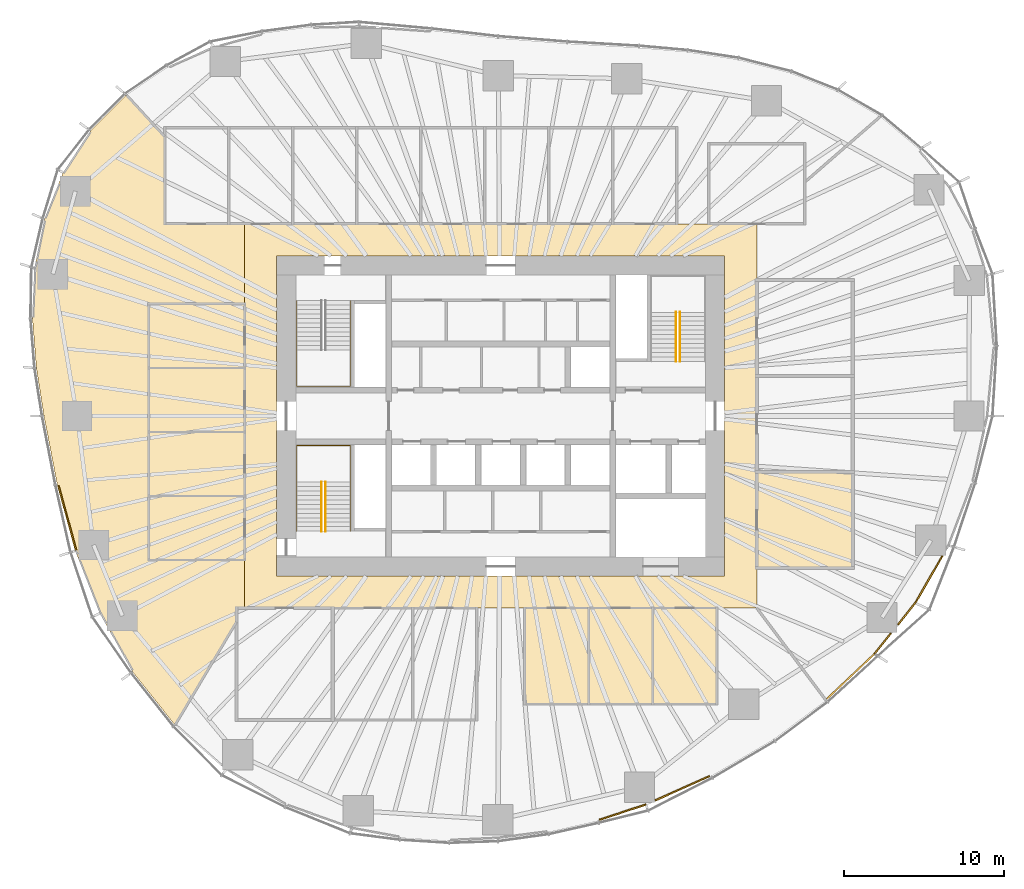
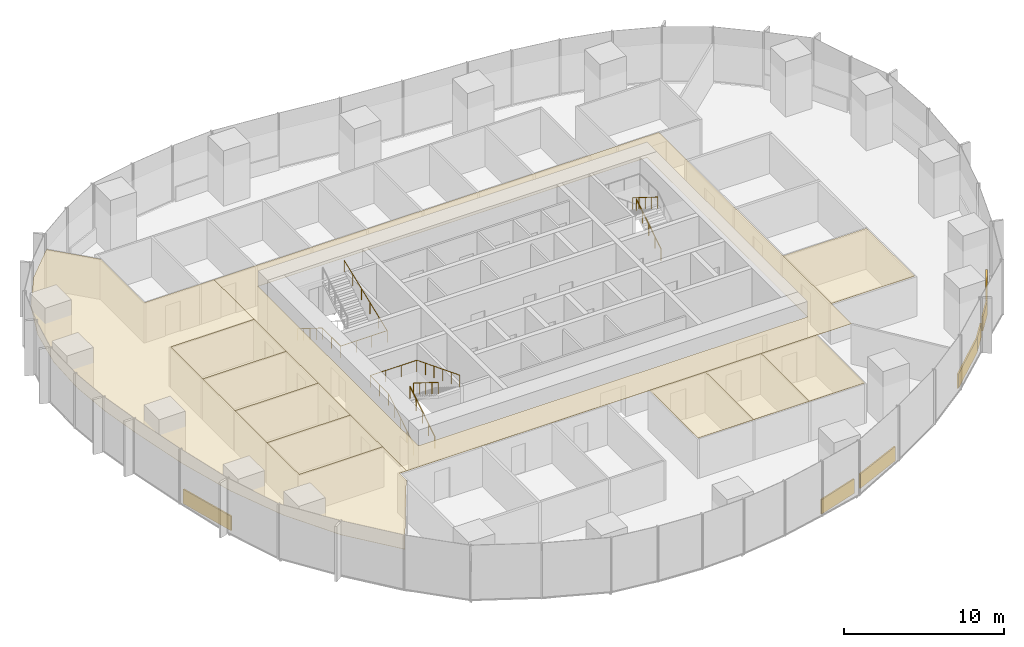
# One storey, part 18 of 20: 17 coverings, 6 railings.
"""IFC4 building model written with IfcOpenShell, lengths in metres."""

from ifc_helpers import new_model, si_unit, direction, frame, origin, origin_2d, place, context, subcontext, project, spatial, polyline, rectangle, circle, outline, extrude, material, layer, layer_set, type_object, element, save


model = new_model("IFC4")

# Units and contexts
model_context = context("Model", 3, precision=1e-05, world=origin(), true_north=direction((0.0, 1.0)))
body_context = subcontext(model_context, "Body", "Model", "MODEL_VIEW")
ifc_project = project(units=[si_unit("LENGTHUNIT", "METRE"), si_unit("AREAUNIT", "SQUARE_METRE"), si_unit("VOLUMEUNIT", "CUBIC_METRE"), si_unit("PLANEANGLEUNIT", "RADIAN"), si_unit("MASSUNIT", "GRAM", prefix="KILO")], contexts=[model_context])

# Site, building, storey
site_placement = place(None, origin())
site = spatial("IfcSite", under=ifc_project, at=site_placement, CompositionType="ELEMENT")
building_placement = place(site_placement, origin())
building = spatial("IfcBuilding", under=site, at=building_placement, Name="Ghaith Harvest Tower", CompositionType="ELEMENT")
storey_placement = place(building_placement, frame((0.0, 0.0, 109.199951171875)))
storey = spatial("IfcBuildingStorey", under=building, at=storey_placement, Name="L22", CompositionType="ELEMENT", Elevation=109.199951171875)

# Coverings
ifc_material_1 = material(Name="Mineral fibre ceiling tile", Category="gypsum")
ifc_layer_1 = layer(ifc_material_1, 0.02001953125)
ifc_layer_set_1 = layer_set([ifc_layer_1], Name="CEILING C1")
covering_type_1 = type_object("IfcCoveringType", Name="CEILING C1", PredefinedType="CEILING", material=ifc_layer_set_1)
covering_1_placement = place(storey_placement, frame((0.0, 0.0, 3.0)))
element("IfcCovering", 1, at=covering_1_placement, inside=storey, type_object=covering_type_1, Name="Ceiling L22-10", PredefinedType="CEILING", context=body_context, shape_type="SweptSolid", body=[
    extrude(outline(polyline([(16.0, -9.5), (22.0, -9.5), (22.0, -3.5), (16.0, -3.5), (16.0, -9.5)])), origin(), (0.0, 0.0, 1.0), 0.02001953125),
])
covering_2_placement = place(storey_placement, frame((0.0, 0.0, 3.0)))
element("IfcCovering", 2, at=covering_2_placement, inside=storey, type_object=covering_type_1, Name="Ceiling L22-16", PredefinedType="CEILING", context=body_context, shape_type="SweptSolid", body=[
    extrude(outline(polyline([(1.5, -18.0), (5.5, -18.0), (5.5, -12.0), (1.5, -12.0), (1.5, -18.0)])), origin(), (0.0, 0.0, 1.0), 0.02001953125),
])
covering_3_placement = place(storey_placement, frame((0.0, 0.0, 3.0)))
element("IfcCovering", 3, at=covering_3_placement, inside=storey, type_object=covering_type_1, Name="Ceiling L22-17", PredefinedType="CEILING", context=body_context, shape_type="SweptSolid", body=[
    extrude(outline(polyline([(5.5, -18.0), (9.5, -18.0), (9.5, -12.0), (5.5, -12.0), (5.5, -18.0)])), origin(), (0.0, 0.0, 1.0), 0.02001953125),
])
covering_4_placement = place(storey_placement, frame((0.0, 0.0, 3.0)))
element("IfcCovering", 4, at=covering_4_placement, inside=storey, type_object=covering_type_1, Name="Ceiling L22-18", PredefinedType="CEILING", context=body_context, shape_type="SweptSolid", body=[
    extrude(outline(polyline([(9.5, -18.0), (13.5, -18.0), (13.5, -12.0), (9.5, -12.0), (9.5, -18.0)])), origin(), (0.0, 0.0, 1.0), 0.02001953125),
])
covering_5_placement = place(storey_placement, frame((0.0, 0.0, 3.0)))
element("IfcCovering", 5, at=covering_5_placement, inside=storey, type_object=covering_type_1, Name="Ceiling L22-19", PredefinedType="CEILING", context=body_context, shape_type="SweptSolid", body=[
    extrude(outline(polyline([(-22.0, -9.0), (-16.0, -9.0), (-16.0, -5.0), (-22.0, -5.0), (-22.0, -9.0)])), origin(), (0.0, 0.0, 1.0), 0.02001953125),
])
covering_6_placement = place(storey_placement, frame((0.0, 0.0, 3.0)))
element("IfcCovering", 6, at=covering_6_placement, inside=storey, type_object=covering_type_1, Name="Ceiling L22-20", PredefinedType="CEILING", context=body_context, shape_type="SweptSolid", body=[
    extrude(outline(polyline([(-22.0, -5.0), (-16.0, -5.0), (-16.0, -1.0), (-22.0, -1.0), (-22.0, -5.0)])), origin(), (0.0, 0.0, 1.0), 0.02001953125),
])
covering_7_placement = place(storey_placement, frame((0.0, 0.0, 3.0)))
element("IfcCovering", 7, at=covering_7_placement, inside=storey, type_object=covering_type_1, Name="Ceiling L22-21", PredefinedType="CEILING", context=body_context, shape_type="SweptSolid", body=[
    extrude(outline(polyline([(-22.0, -1.0), (-16.0, -1.0), (-16.0, 3.0), (-22.0, 3.0), (-22.0, -1.0)])), origin(), (0.0, 0.0, 1.0), 0.02001953125),
])
covering_8_placement = place(storey_placement, frame((0.0, 0.0, 3.0)))
element("IfcCovering", 8, at=covering_8_placement, inside=storey, type_object=covering_type_1, Name="Ceiling L22-22", PredefinedType="CEILING", context=body_context, shape_type="SweptSolid", body=[
    extrude(outline(polyline([(-22.0, 3.0), (-16.0, 3.0), (-16.0, 7.0), (-22.0, 7.0), (-22.0, 3.0)])), origin(), (0.0, 0.0, 1.0), 0.02001953125),
])
covering_9_placement = place(storey_placement, frame((0.0, 0.0, 3.0)))
element("IfcCovering", 9, at=covering_9_placement, inside=storey, type_object=covering_type_1, Name="Ceiling L22-C1", PredefinedType="CEILING", context=body_context, shape_type="SweptSolid", body=[
    extrude(outline(polyline([(-16.0, 12.0), (16.0, 12.0), (16.0, -12.0), (-16.0, -12.0), (-16.0, 12.0)]), holes=[polyline([(-14.0, -10.0), (14.0, -10.0), (14.0, 10.0), (-14.0, 10.0), (-14.0, -10.0)])]), origin(), (0.0, 0.0, 1.0), 0.02001953125),
])
covering_10_placement = place(storey_placement, frame((0.0, 0.0, 3.0)))
element("IfcCovering", 10, at=covering_10_placement, inside=storey, type_object=covering_type_1, Name="Ceiling L22-W1", PredefinedType="CEILING", context=body_context, shape_type="SweptSolid", body=[
    extrude(outline(polyline([(-29.12646484375, 9.230712890625), (-28.506591796875, 12.29638671875), (-27.33837890625, 15.204833984375), (-25.61962890625, 17.826416015625), (-23.398193359375, 20.06103515625), (-21.0, 17.447998046875), (-21.0, 12.0), (-16.0, 12.0), (-16.0, 7.0), (-22.0, 7.0), (-22.0, -9.0), (-16.0, -9.0), (-16.0, -12.0), (-16.5, -12.0), (-16.5, -12.83984375), (-20.35400390625, -19.31396484375), (-22.99169921875, -15.997802734375), (-25.046875, -12.32861328125), (-26.580078125, -8.423583984375), (-27.70947265625, -4.285888671875), (-28.541259765625, 0.0), (-29.01171875, 2.978271484375), (-29.260498046875, 6.07177734375), (-29.12646484375, 9.230712890625)])), origin(), (0.0, 0.0, 1.0), 0.02001953125),
])

# Railings
ifc_material_2 = material(Name="Steel, black powder-coated", Category="steel")
railing_type = type_object("IfcRailingType", Name="HANDRAIL HR1", PredefinedType="HANDRAIL", material=ifc_material_2)
railing_1_placement = place(storey_placement, frame((-12.75, 7.199951171875, 0.175048828125)))
element("IfcRailing", 11, at=railing_1_placement, inside=storey, type_object=railing_type, Name="Handrail HR1 stair ST1 L22 wall side", PredefinedType="HANDRAIL", context=body_context, shape_type="SweptSolid", body=[
    extrude(circle(Radius=0.02392578125, at=origin_2d()), frame((0.0, 0.0, 0.8759765625), z_axis=(0.0, -0.847979421464, 0.530029150871), x_axis=(1.0, 0.0, 0.0)), (0.0, 0.0, 1.0), 3.632080078125),
    extrude(circle(Radius=0.02392578125, at=origin_2d()), frame((0.0, -3.079833984375, 2.80078125), z_axis=(0.0, -1.0, 0.0), x_axis=(1.0, 0.0, 0.0)), (0.0, 0.0, 1.0), 2.27001953125),
    extrude(circle(Radius=0.02392578125, at=origin_2d()), frame((0.0, -5.349853515625, 2.80078125), z_axis=(1.0, 0.0, 0.0), x_axis=(0.0, 1.0, 0.0)), (0.0, 0.0, 1.0), 3.35009765625),
    extrude(circle(Radius=0.02392578125, at=origin_2d()), frame((3.35009765625, -5.349853515625, 2.80078125), z_axis=(0.0, 0.930862461605, 0.365369781968), x_axis=(-1.0, 0.0, 0.0)), (0.0, 0.0, 1.0), 5.747314453125),
    extrude(circle(Radius=0.02099609375, at=origin_2d()), origin(), (0.0, 0.0, 1.0), 0.851806640625),
    extrude(circle(Radius=0.02099609375, at=origin_2d()), frame((0.0, -0.77001953125, 0.481201171875)), (0.0, 0.0, 1.0), 0.851806640625),
    extrude(circle(Radius=0.02099609375, at=origin_2d()), frame((0.0, -1.5400390625, 0.96240234375)), (0.0, 0.0, 1.0), 0.851806640625),
    extrude(circle(Radius=0.02099609375, at=origin_2d()), frame((0.0, -2.309814453125, 1.44384765625)), (0.0, 0.0, 1.0), 0.851806640625),
    extrude(circle(Radius=0.02099609375, at=origin_2d()), frame((0.0, -3.079833984375, 1.925048828125)), (0.0, 0.0, 1.0), 0.851806640625),
    extrude(circle(Radius=0.02099609375, at=origin_2d()), frame((0.0, -4.21484375, 1.925048828125)), (0.0, 0.0, 1.0), 0.851806640625),
    extrude(circle(Radius=0.02099609375, at=origin_2d()), frame((0.0, -5.349853515625, 1.925048828125)), (0.0, 0.0, 1.0), 0.851806640625),
    extrude(circle(Radius=0.02099609375, at=origin_2d()), frame((1.11669921875, -5.349853515625, 1.925048828125)), (0.0, 0.0, 1.0), 0.851806640625),
    extrude(circle(Radius=0.02099609375, at=origin_2d()), frame((2.2333984375, -5.349853515625, 1.925048828125)), (0.0, 0.0, 1.0), 0.851806640625),
    extrude(circle(Radius=0.02099609375, at=origin_2d()), frame((3.35009765625, -5.349853515625, 1.925048828125)), (0.0, 0.0, 1.0), 0.851806640625),
    extrude(circle(Radius=0.02099609375, at=origin_2d()), frame((3.35009765625, -4.27978515625, 2.344970703125)), (0.0, 0.0, 1.0), 0.851806640625),
    extrude(circle(Radius=0.02099609375, at=origin_2d()), frame((3.35009765625, -3.2099609375, 2.764892578125)), (0.0, 0.0, 1.0), 0.851806640625),
    extrude(circle(Radius=0.02099609375, at=origin_2d()), frame((3.35009765625, -2.139892578125, 3.18505859375)), (0.0, 0.0, 1.0), 0.851806640625),
    extrude(circle(Radius=0.02099609375, at=origin_2d()), frame((3.35009765625, -1.070068359375, 3.60498046875)), (0.0, 0.0, 1.0), 0.851806640625),
    extrude(circle(Radius=0.02099609375, at=origin_2d()), frame((3.35009765625, 0.0, 4.02490234375)), (0.0, 0.0, 1.0), 0.851806640625),
])
railing_2_placement = place(storey_placement, frame((-11.199951171875, -7.199951171875, 0.175048828125)))
element("IfcRailing", 12, at=railing_2_placement, inside=storey, type_object=railing_type, Name="Handrail HR1 stair ST3 L22 flight 1 inner", PredefinedType="HANDRAIL", context=body_context, shape_type="SweptSolid", body=[
    extrude(circle(Radius=0.02392578125, at=origin_2d()), frame((0.0, 0.0, 0.8759765625), z_axis=(0.0, 0.847979421464, 0.530029150871), x_axis=(-1.0, 0.0, 0.0)), (0.0, 0.0, 1.0), 3.632080078125),
    extrude(circle(Radius=0.02099609375, at=origin_2d()), origin(), (0.0, 0.0, 1.0), 0.851806640625),
    extrude(circle(Radius=0.02099609375, at=origin_2d()), frame((0.0, 0.77001953125, 0.481201171875)), (0.0, 0.0, 1.0), 0.851806640625),
    extrude(circle(Radius=0.02099609375, at=origin_2d()), frame((0.0, 1.5400390625, 0.96240234375)), (0.0, 0.0, 1.0), 0.851806640625),
    extrude(circle(Radius=0.02099609375, at=origin_2d()), frame((0.0, 2.309814453125, 1.44384765625)), (0.0, 0.0, 1.0), 0.851806640625),
    extrude(circle(Radius=0.02099609375, at=origin_2d()), frame((0.0, 3.079833984375, 1.925048828125)), (0.0, 0.0, 1.0), 0.851806640625),
])
railing_3_placement = place(storey_placement, frame((-10.949951171875, -4.1201171875, 2.275146484375)))
element("IfcRailing", 13, at=railing_3_placement, inside=storey, type_object=railing_type, Name="Handrail HR1 stair ST3 L22 flight 2 inner", PredefinedType="HANDRAIL", context=body_context, shape_type="SweptSolid", body=[
    extrude(circle(Radius=0.02392578125, at=origin_2d()), frame((0.0, 0.0, 0.8759765625), z_axis=(0.0, -0.848009633417, 0.529980812513), x_axis=(1.0, 0.0, 0.0)), (0.0, 0.0, 1.0), 3.6318359375),
    extrude(circle(Radius=0.02099609375, at=origin_2d()), origin(), (0.0, 0.0, 1.0), 0.851806640625),
    extrude(circle(Radius=0.02099609375, at=origin_2d()), frame((0.0, -0.77001953125, 0.481201171875)), (0.0, 0.0, 1.0), 0.851806640625),
    extrude(circle(Radius=0.02099609375, at=origin_2d()), frame((0.0, -1.5400390625, 0.96240234375)), (0.0, 0.0, 1.0), 0.851806640625),
    extrude(circle(Radius=0.02099609375, at=origin_2d()), frame((0.0, -2.309814453125, 1.443603515625)), (0.0, 0.0, 1.0), 0.851806640625),
    extrude(circle(Radius=0.02099609375, at=origin_2d()), frame((0.0, -3.079833984375, 1.9248046875)), (0.0, 0.0, 1.0), 0.851806640625),
])
railing_4_placement = place(storey_placement, frame((-12.75, -7.199951171875, 0.175048828125)))
element("IfcRailing", 14, at=railing_4_placement, inside=storey, type_object=railing_type, Name="Handrail HR1 stair ST3 L22 wall side", PredefinedType="HANDRAIL", context=body_context, shape_type="SweptSolid", body=[
    extrude(circle(Radius=0.02392578125, at=origin_2d()), frame((0.0, 0.0, 0.8759765625), z_axis=(0.0, 0.847979421464, 0.530029150871), x_axis=(-1.0, 0.0, 0.0)), (0.0, 0.0, 1.0), 3.632080078125),
    extrude(circle(Radius=0.02392578125, at=origin_2d()), frame((0.0, 3.079833984375, 2.80078125), z_axis=(0.0, 1.0, 0.0), x_axis=(-1.0, 0.0, 0.0)), (0.0, 0.0, 1.0), 2.27001953125),
    extrude(circle(Radius=0.02392578125, at=origin_2d()), frame((0.0, 5.349853515625, 2.80078125), z_axis=(1.0, 0.0, 0.0), x_axis=(0.0, 1.0, 0.0)), (0.0, 0.0, 1.0), 3.35009765625),
    extrude(circle(Radius=0.02392578125, at=origin_2d()), frame((3.35009765625, 5.349853515625, 2.80078125), z_axis=(0.0, -0.930862461605, 0.365369781968), x_axis=(1.0, 0.0, 0.0)), (0.0, 0.0, 1.0), 5.747314453125),
    extrude(circle(Radius=0.02099609375, at=origin_2d()), origin(), (0.0, 0.0, 1.0), 0.851806640625),
    extrude(circle(Radius=0.02099609375, at=origin_2d()), frame((0.0, 0.77001953125, 0.481201171875)), (0.0, 0.0, 1.0), 0.851806640625),
    extrude(circle(Radius=0.02099609375, at=origin_2d()), frame((0.0, 1.5400390625, 0.96240234375)), (0.0, 0.0, 1.0), 0.851806640625),
    extrude(circle(Radius=0.02099609375, at=origin_2d()), frame((0.0, 2.309814453125, 1.44384765625)), (0.0, 0.0, 1.0), 0.851806640625),
    extrude(circle(Radius=0.02099609375, at=origin_2d()), frame((0.0, 3.079833984375, 1.925048828125)), (0.0, 0.0, 1.0), 0.851806640625),
    extrude(circle(Radius=0.02099609375, at=origin_2d()), frame((0.0, 4.21484375, 1.925048828125)), (0.0, 0.0, 1.0), 0.851806640625),
    extrude(circle(Radius=0.02099609375, at=origin_2d()), frame((0.0, 5.349853515625, 1.925048828125)), (0.0, 0.0, 1.0), 0.851806640625),
    extrude(circle(Radius=0.02099609375, at=origin_2d()), frame((1.11669921875, 5.349853515625, 1.925048828125)), (0.0, 0.0, 1.0), 0.851806640625),
    extrude(circle(Radius=0.02099609375, at=origin_2d()), frame((2.2333984375, 5.349853515625, 1.925048828125)), (0.0, 0.0, 1.0), 0.851806640625),
    extrude(circle(Radius=0.02099609375, at=origin_2d()), frame((3.35009765625, 5.349853515625, 1.925048828125)), (0.0, 0.0, 1.0), 0.851806640625),
    extrude(circle(Radius=0.02099609375, at=origin_2d()), frame((3.35009765625, 4.27978515625, 2.344970703125)), (0.0, 0.0, 1.0), 0.851806640625),
    extrude(circle(Radius=0.02099609375, at=origin_2d()), frame((3.35009765625, 3.2099609375, 2.764892578125)), (0.0, 0.0, 1.0), 0.851806640625),
    extrude(circle(Radius=0.02099609375, at=origin_2d()), frame((3.35009765625, 2.139892578125, 3.18505859375)), (0.0, 0.0, 1.0), 0.851806640625),
    extrude(circle(Radius=0.02099609375, at=origin_2d()), frame((3.35009765625, 1.070068359375, 3.60498046875)), (0.0, 0.0, 1.0), 0.851806640625),
    extrude(circle(Radius=0.02099609375, at=origin_2d()), frame((3.35009765625, 0.0, 4.02490234375)), (0.0, 0.0, 1.0), 0.851806640625),
])
railing_5_placement = place(storey_placement, frame((11.199951171875, 3.39990234375, 0.175048828125)))
element("IfcRailing", 15, at=railing_5_placement, inside=storey, type_object=railing_type, Name="Handrail HR1 stair ST2 L22 flight 1 inner", PredefinedType="HANDRAIL", context=body_context, shape_type="SweptSolid", body=[
    extrude(circle(Radius=0.02392578125, at=origin_2d()), frame((0.0, 0.0, 0.8759765625), z_axis=(0.0, 0.847998304005, 0.529998940003), x_axis=(-1.0, 0.0, 0.0)), (0.0, 0.0, 1.0), 3.632080078125),
    extrude(circle(Radius=0.02099609375, at=origin_2d()), origin(), (0.0, 0.0, 1.0), 0.851806640625),
    extrude(circle(Radius=0.02099609375, at=origin_2d()), frame((0.0, 0.77001953125, 0.481201171875)), (0.0, 0.0, 1.0), 0.851806640625),
    extrude(circle(Radius=0.02099609375, at=origin_2d()), frame((0.0, 1.5400390625, 0.96240234375)), (0.0, 0.0, 1.0), 0.851806640625),
    extrude(circle(Radius=0.02099609375, at=origin_2d()), frame((0.0, 2.31005859375, 1.44384765625)), (0.0, 0.0, 1.0), 0.851806640625),
    extrude(circle(Radius=0.02099609375, at=origin_2d()), frame((0.0, 3.080078125, 1.925048828125)), (0.0, 0.0, 1.0), 0.851806640625),
])
railing_6_placement = place(storey_placement, frame((10.949951171875, 6.47998046875, 2.275146484375)))
element("IfcRailing", 16, at=railing_6_placement, inside=storey, type_object=railing_type, Name="Handrail HR1 stair ST2 L22 flight 2 inner", PredefinedType="HANDRAIL", context=body_context, shape_type="SweptSolid", body=[
    extrude(circle(Radius=0.02392578125, at=origin_2d()), frame((0.0, 0.0, 0.8759765625), z_axis=(0.0, -0.848028513186, 0.529950602248), x_axis=(1.0, 0.0, 0.0)), (0.0, 0.0, 1.0), 3.632080078125),
    extrude(circle(Radius=0.02099609375, at=origin_2d()), origin(), (0.0, 0.0, 1.0), 0.851806640625),
    extrude(circle(Radius=0.02099609375, at=origin_2d()), frame((0.0, -0.77001953125, 0.481201171875)), (0.0, 0.0, 1.0), 0.851806640625),
    extrude(circle(Radius=0.02099609375, at=origin_2d()), frame((0.0, -1.5400390625, 0.96240234375)), (0.0, 0.0, 1.0), 0.851806640625),
    extrude(circle(Radius=0.02099609375, at=origin_2d()), frame((0.0, -2.31005859375, 1.443603515625)), (0.0, 0.0, 1.0), 0.851806640625),
    extrude(circle(Radius=0.02099609375, at=origin_2d()), frame((0.0, -3.080078125, 1.9248046875)), (0.0, 0.0, 1.0), 0.851806640625),
])

# Coverings
ifc_material_3 = material(Name="Insulated aluminium spandrel panel on steel framing", Category="steel")
ifc_layer_2 = layer(ifc_material_3, 0.10009765625)
ifc_layer_set_2 = layer_set([ifc_layer_2], Name="SLAB EDGE UPSTAND 1100x100")
covering_type_2 = type_object("IfcCoveringType", Name="SLAB EDGE UPSTAND 1100x100", PredefinedType="CLADDING", material=ifc_layer_set_2)
covering_11_placement = place(storey_placement, frame((-27.08349609375, -6.389892578125, 0.0), z_axis=(0.0, 0.0, 1.0), x_axis=(0.263287721652, -0.964717355305, 0.0)))
element("IfcCovering", 17, at=covering_11_placement, inside=storey, type_object=covering_type_2, Name="Slab edge upstand 2 bay 11 L22", PredefinedType="CLADDING", context=body_context, shape_type="SweptSolid", body=[
    extrude(rectangle(XDim=4.189208984375, YDim=0.10009765625, at=origin_2d()), origin(), (0.0, 0.0, 1.0), 1.10009765625),
])
covering_12_placement = place(storey_placement, frame((7.625244140625, -24.754638671875, 0.0), z_axis=(0.0, 0.0, 1.0), x_axis=(0.950441392134, 0.310903779518, 0.0)))
element("IfcCovering", 18, at=covering_12_placement, inside=storey, type_object=covering_type_2, Name="Slab edge upstand 3 bay 16 L22", PredefinedType="CLADDING", context=body_context, shape_type="SweptSolid", body=[
    extrude(rectangle(XDim=3.05859375, YDim=0.10009765625, at=origin_2d()), origin(), (0.0, 0.0, 1.0), 1.10009765625),
])
covering_13_placement = place(storey_placement, frame((11.353271484375, -23.263671875, 0.0), z_axis=(0.0, 0.0, 1.0), x_axis=(0.913170343632, 0.407578119519, 0.0)))
element("IfcCovering", 19, at=covering_13_placement, inside=storey, type_object=covering_type_2, Name="Slab edge upstand 1 bay 17 L22", PredefinedType="CLADDING", context=body_context, shape_type="SweptSolid", body=[
    extrude(rectangle(XDim=3.720947265625, YDim=0.10009765625, at=origin_2d()), origin(), (0.0, 0.0, 1.0), 1.10009765625),
])
covering_14_placement = place(storey_placement, frame((21.871826171875, -16.267822265625, 0.0), z_axis=(0.0, 0.0, 1.0), x_axis=(0.72680962062, 0.686838973395, 0.0)))
element("IfcCovering", 20, at=covering_14_placement, inside=storey, type_object=covering_type_2, Name="Slab edge upstand 2 bay 18 L22", PredefinedType="CLADDING", context=body_context, shape_type="SweptSolid", body=[
    extrude(rectangle(XDim=4.111572265625, YDim=0.10009765625, at=origin_2d()), origin(), (0.0, 0.0, 1.0), 1.10009765625),
])
covering_15_placement = place(storey_placement, frame((23.87255859375, -14.22314453125, 0.0), z_axis=(0.0, 0.0, 1.0), x_axis=(0.625468377377, 0.780249517079, 0.0)))
element("IfcCovering", 21, at=covering_15_placement, inside=storey, type_object=covering_type_2, Name="Slab edge upstand 1 bay 19 L22", PredefinedType="CLADDING", context=body_context, shape_type="SweptSolid", body=[
    extrude(rectangle(XDim=1.635009765625, YDim=0.10009765625, at=origin_2d()), origin(), (0.0, 0.0, 1.0), 1.10009765625),
])
covering_16_placement = place(storey_placement, frame((25.366943359375, -12.35888671875, 0.0), z_axis=(0.0, 0.0, 1.0), x_axis=(0.625468377377, 0.780249517079, 0.0)))
element("IfcCovering", 22, at=covering_16_placement, inside=storey, type_object=covering_type_2, Name="Slab edge upstand 1 bay 19 L22", PredefinedType="CLADDING", context=body_context, shape_type="SweptSolid", body=[
    extrude(rectangle(XDim=1.73291015625, YDim=0.10009765625, at=origin_2d()), origin(), (0.0, 0.0, 1.0), 1.10009765625),
])
covering_17_placement = place(storey_placement, frame((26.751220703125, -10.22119140625, 0.0), z_axis=(0.0, 0.0, 1.0), x_axis=(0.499596169173, 0.866258430117, 0.0)))
element("IfcCovering", 23, at=covering_17_placement, inside=storey, type_object=covering_type_2, Name="Slab edge upstand 2 bay 19 L22", PredefinedType="CLADDING", context=body_context, shape_type="SweptSolid", body=[
    extrude(rectangle(XDim=3.389404296875, YDim=0.10009765625, at=origin_2d()), origin(), (0.0, 0.0, 1.0), 1.10009765625),
])

save(model, "model.ifc")
